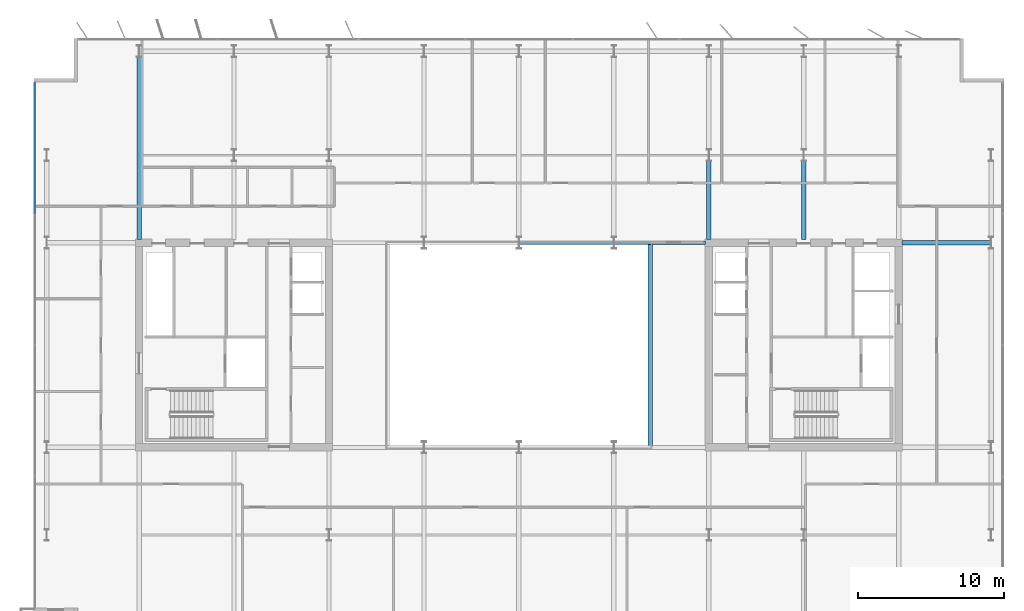
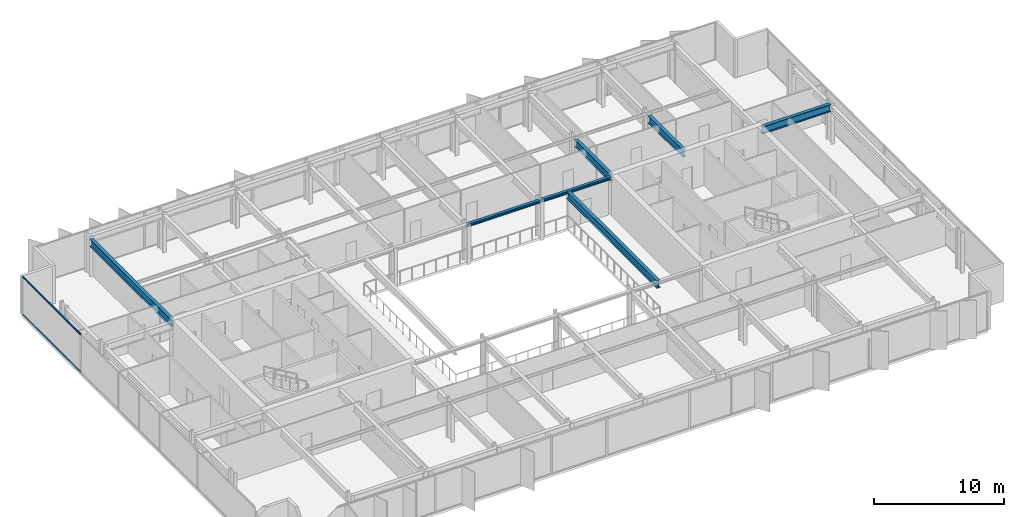
# One storey, part 9 of 23: 7 beams, 2 members, 1 element without a shape of its own.
"""IFC4 building model written with IfcOpenShell, lengths in metres."""

from ifc_helpers import new_model, si_unit, direction, frame, origin, origin_2d, place, context, subcontext, project, spatial, rectangle, i_section, extrude, material, layer, layer_set, material_profile, profile_set, type_object, element, aggregate, save


model = new_model("IFC4")

# Units and contexts
model_context = context("Model", 3, precision=1e-05, world=origin(), true_north=direction((0.0, 1.0)))
body_context = subcontext(model_context, "Body", "Model", "MODEL_VIEW")
ifc_project = project(units=[si_unit("LENGTHUNIT", "METRE"), si_unit("AREAUNIT", "SQUARE_METRE"), si_unit("VOLUMEUNIT", "CUBIC_METRE"), si_unit("PLANEANGLEUNIT", "RADIAN"), si_unit("MASSUNIT", "GRAM", prefix="KILO")], contexts=[model_context])

# Site, building, storey
site_placement = place(None, origin())
site = spatial("IfcSite", under=ifc_project, at=site_placement, CompositionType="ELEMENT")
building_placement = place(site_placement, origin())
building = spatial("IfcBuilding", under=site, at=building_placement, Name="Putna Gate Headquarters", CompositionType="ELEMENT")
storey_placement = place(building_placement, frame((0.0, 0.0, 225.199951171875)))
storey = spatial("IfcBuildingStorey", under=building, at=storey_placement, Name="L56", CompositionType="ELEMENT", Elevation=225.199951171875)

# Beams
ifc_material_1 = material(Name="Steel S355J2", Category="steel")
ifc_material_profile_1 = material_profile(ifc_material_1, i_section(OverallWidth=0.260009765625, OverallDepth=0.260009765625, WebThickness=0.010009765625, FlangeThickness=0.017578125, at=origin_2d()), Name="Steel S355J2")
ifc_profile_set_1 = profile_set([ifc_material_profile_1], Name="Steel S355J2")
beam_type_1 = type_object("IfcBeamType", Name="BM-ATRIUM-HEB260", PredefinedType="BEAM", material=ifc_profile_set_1)
beam_1_placement = place(storey_placement, frame((39.006103515625, 33.0, 3.449951171875), z_axis=(1.0, 0.0, 0.0), x_axis=(0.0, 1.0, 0.0)))
element("IfcBeam", 1, at=beam_1_placement, inside=storey, type_object=beam_type_1, Name="L56 Atrium Edge Beam AN3", PredefinedType="BEAM", context=body_context, shape_type="SweptSolid", body=[
    extrude(i_section(OverallWidth=0.260009765625, OverallDepth=0.260009765625, WebThickness=0.010009765625, FlangeThickness=0.017578125, at=origin_2d()), origin(), (0.0, 0.0, 1.0), 6.48779296875),
])
beam_2_placement = place(storey_placement, frame((45.506103515625, 33.0, 3.449951171875), z_axis=(1.0, 0.0, 0.0), x_axis=(0.0, 1.0, 0.0)))
element("IfcBeam", 2, at=beam_2_placement, inside=storey, type_object=beam_type_1, Name="L56 Atrium Edge Beam AN4", PredefinedType="BEAM", context=body_context, shape_type="SweptSolid", body=[
    extrude(i_section(OverallWidth=0.260009765625, OverallDepth=0.260009765625, WebThickness=0.010009765625, FlangeThickness=0.017578125, at=origin_2d()), origin(), (0.0, 0.0, 1.0), 6.2587890625),
])
ifc_material_profile_2 = material_profile(ifc_material_1, i_section(OverallWidth=0.300048828125, OverallDepth=0.699951171875, WebThickness=0.01708984375, FlangeThickness=0.031982421875, at=origin_2d()), Name="Steel S355J2")
ifc_profile_set_2 = profile_set([ifc_material_profile_2], Name="Steel S355J2")
beam_type_2 = type_object("IfcBeamType", Name="BM-GIRD-B-HEB700", PredefinedType="USERDEFINED", material=ifc_profile_set_2)
beam_3_placement = place(storey_placement, frame((65.235107421875, 33.0, 3.22998046875), z_axis=(1.0, 0.0, 0.0), x_axis=(0.0, 1.0, 0.0)))
element("IfcBeam", 3, at=beam_3_placement, inside=storey, type_object=beam_type_2, Name="L56 East Wing Girder Y33", ObjectType="GIRDER", PredefinedType="USERDEFINED", context=body_context, shape_type="SweptSolid", body=[
    extrude(i_section(OverallWidth=0.300048828125, OverallDepth=0.699951171875, WebThickness=0.01708984375, FlangeThickness=0.031982421875, at=origin_2d()), origin(), (0.0, 0.0, 1.0), 6.078857421875),
])
beam_4_placement = place(storey_placement, frame((13.0, 33.235107421875, 3.22998046875), z_axis=(0.0, 1.0, 0.0), x_axis=(-1.0, 0.0, 0.0)))
element("IfcBeam", 4, at=beam_4_placement, inside=storey, type_object=beam_type_2, Name="L56 North Primary Girder X13", ObjectType="GIRDER", PredefinedType="USERDEFINED", context=body_context, shape_type="SweptSolid", body=[
    extrude(i_section(OverallWidth=0.300048828125, OverallDepth=0.699951171875, WebThickness=0.01708984375, FlangeThickness=0.031982421875, at=origin_2d()), origin(), (0.0, 0.0, 1.0), 12.489990234375),
])
for number, where, z_axis, x_axis, name in (
    (5, (52.0, 33.235107421875, 3.22998046875), (0.0, 1.0, 0.0), (-1.0, 0.0, 0.0), "L56 North Primary Girder X52-1"),
    (6, (58.5, 33.235107421875, 3.22998046875), (0.0, 1.0, 0.0), (-1.0, 0.0, 0.0), "L56 North Primary Girder X58-1"),
):
    element("IfcBeam", number, at=place(storey_placement, frame(where, z_axis=z_axis, x_axis=x_axis)), inside=storey, type_object=beam_type_2, Name=name, ObjectType="GIRDER", PredefinedType="USERDEFINED", context=body_context, shape_type="SweptSolid", body=[
        extrude(i_section(OverallWidth=0.300048828125, OverallDepth=0.699951171875, WebThickness=0.01708984375, FlangeThickness=0.031982421875, at=origin_2d()), origin(), (0.0, 0.0, 1.0), 5.369873046875),
    ])
beam_5_placement = place(storey_placement, frame((48.0, 19.010009765625, 3.22998046875), z_axis=(0.0, 1.0, 0.0), x_axis=(-1.0, 0.0, 0.0)))
element("IfcBeam", 7, at=beam_5_placement, inside=storey, type_object=beam_type_2, Name="L56 Atrium Trim Girder AE", ObjectType="GIRDER", PredefinedType="USERDEFINED", context=body_context, shape_type="SweptSolid", body=[
    extrude(i_section(OverallWidth=0.300048828125, OverallDepth=0.699951171875, WebThickness=0.01708984375, FlangeThickness=0.031982421875, at=origin_2d()), origin(), (0.0, 0.0, 1.0), 13.97998046875),
])

# Curtain wall, members
ifc_material_2 = material(Name="Anodised bronze aluminium curtain wall", Category="aluminium")
ifc_layer = layer(ifc_material_2, 0.139892578125)
ifc_layer_set = layer_set([ifc_layer], Name="Anodised bronze aluminium curtain wall")
curtain_wall_type = type_object("IfcCurtainWallType", Name="CW-SYS-Z4", PredefinedType="USERDEFINED", material=ifc_layer_set)
curtain_wall_placement = place(storey_placement, origin())
curtain_wall = element("IfcCurtainWall", 8, at=curtain_wall_placement, inside=storey, type_object=curtain_wall_type, Name="L56 West Curtain Wall", ObjectType="STICK CURTAIN WALL", PredefinedType="USERDEFINED")
ifc_material_3 = material(Name="Anodised bronze aluminium EN AW-6060", Category="aluminium")
ifc_material_profile_3 = material_profile(ifc_material_3, rectangle(XDim=0.06005859375, YDim=0.10009765625, at=origin_2d()), Name="Anodised bronze aluminium EN AW-6060")
ifc_profile_set_3 = profile_set([ifc_material_profile_3], Name="Anodised bronze aluminium EN AW-6060")
member_type = type_object("IfcMemberType", Name="TRAN-CWT-4", PredefinedType="USERDEFINED", material=ifc_profile_set_3)
member_1_placement = place(storey_placement, frame((5.8798828125, 35.030029296875, 0.030029296875), z_axis=(0.0, 1.0, 0.0), x_axis=(-1.0, 0.0, 0.0)))
member_1 = element("IfcMember", 9, at=member_1_placement, type_object=member_type, Name="CWS-4 transom 4.1", ObjectType="TRANSOM", PredefinedType="USERDEFINED", context=body_context, shape_type="SweptSolid", body=[
    extrude(rectangle(XDim=0.06005859375, YDim=0.10009765625, at=origin_2d()), origin(), (0.0, 0.0, 1.0), 8.909912109375),
])
member_2_placement = place(storey_placement, frame((5.8798828125, 35.030029296875, 3.550048828125), z_axis=(0.0, 1.0, 0.0), x_axis=(-1.0, 0.0, 0.0)))
member_2 = element("IfcMember", 10, at=member_2_placement, type_object=member_type, Name="CWS-4 transom 4.2", ObjectType="TRANSOM", PredefinedType="USERDEFINED", context=body_context, shape_type="SweptSolid", body=[
    extrude(rectangle(XDim=0.06005859375, YDim=0.10009765625, at=origin_2d()), origin(), (0.0, 0.0, 1.0), 8.909912109375),
])
aggregate(curtain_wall, [member_1, member_2])

save(model, "model.ifc")
